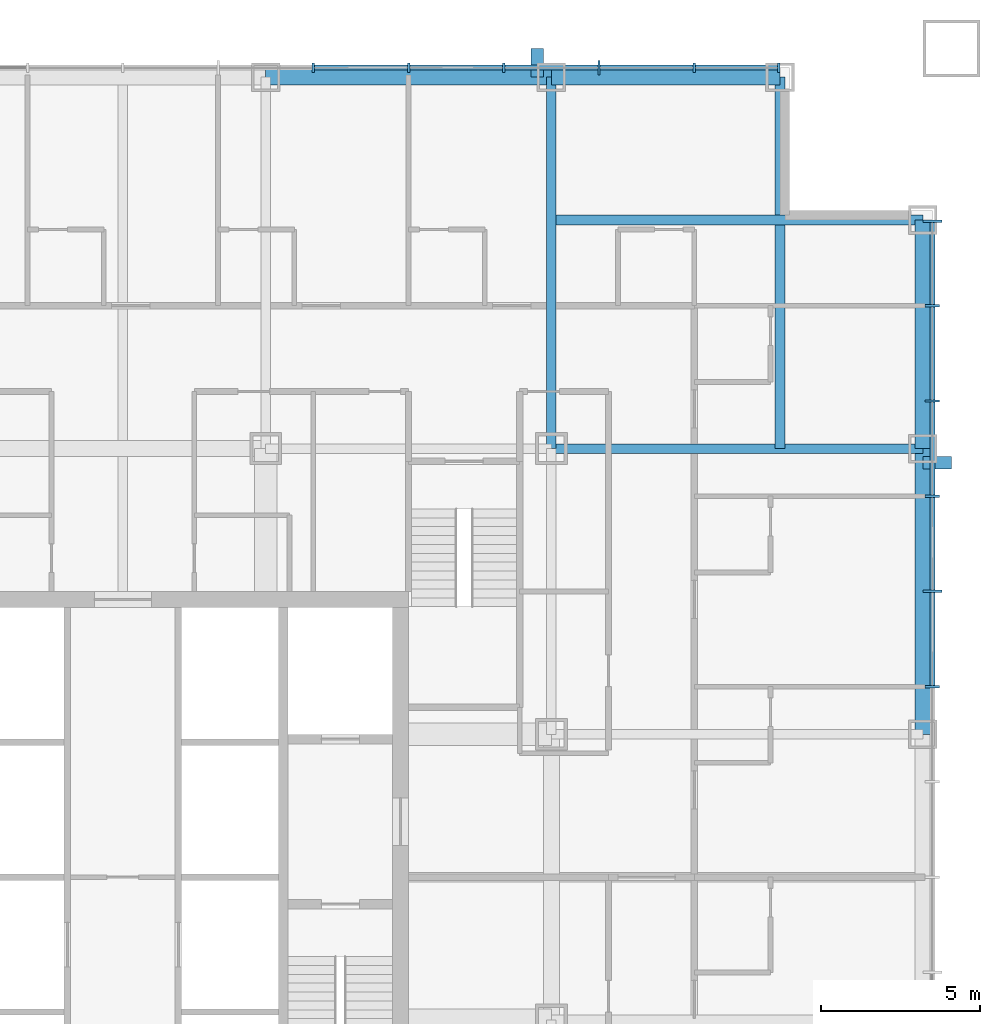
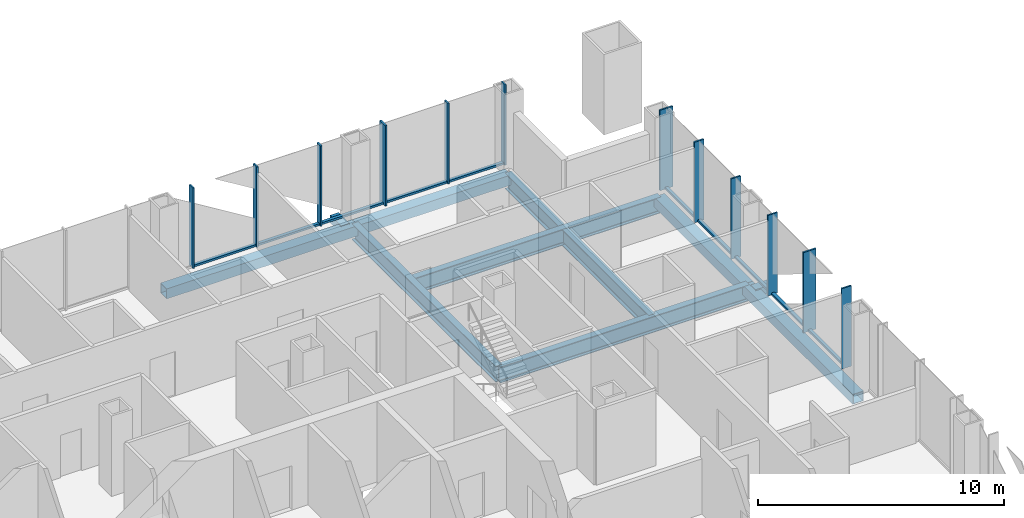
# One storey, part 5 of 14: 24 members, 8 beams, 2 elements without a shape of their own.
"""IFC4 building model written with IfcOpenShell, lengths in metres."""

from ifc_helpers import new_model, si_unit, direction, frame, origin, origin_2d, place, context, subcontext, project, spatial, rectangle, hollow_rectangle, i_section, extrude, material, layer, layer_set, material_profile, profile_set, type_object, element, aggregate, save


model = new_model("IFC4")

# Units and contexts
model_context = context("Model", 3, precision=1e-05, world=origin(), true_north=direction((0.0, 1.0)))
body_context = subcontext(model_context, "Body", "Model", "MODEL_VIEW")
ifc_project = project(units=[si_unit("LENGTHUNIT", "METRE"), si_unit("AREAUNIT", "SQUARE_METRE"), si_unit("VOLUMEUNIT", "CUBIC_METRE"), si_unit("PLANEANGLEUNIT", "RADIAN"), si_unit("MASSUNIT", "GRAM", prefix="KILO")], contexts=[model_context])

# Site, building, storey
site_placement = place(None, origin())
site = spatial("IfcSite", under=ifc_project, at=site_placement, CompositionType="ELEMENT")
building_placement = place(site_placement, origin())
building = spatial("IfcBuilding", under=site, at=building_placement, Name="Malebo Sky Hospital", CompositionType="ELEMENT")
storey_placement = place(building_placement, frame((0.0, 0.0, 71.0)))
storey = spatial("IfcBuildingStorey", under=building, at=storey_placement, Name="L16", CompositionType="ELEMENT", Elevation=71.0)

# Curtain wall, members
ifc_material_1 = material(Name="Anodised aluminium, natural silver", Category="aluminium")
ifc_layer_1 = layer(ifc_material_1, 0.25)
ifc_layer_set_1 = layer_set([ifc_layer_1], Name="WARD CURTAIN WALL NORTH AND SOUTH")
curtain_wall_type_1 = type_object("IfcCurtainWallType", Name="WARD CURTAIN WALL NORTH AND SOUTH", PredefinedType="NOTDEFINED", material=ifc_layer_set_1)
curtain_wall_1_placement = place(storey_placement, origin())
curtain_wall_1 = element("IfcCurtainWall", 1, at=curtain_wall_1_placement, inside=storey, type_object=curtain_wall_type_1, Name="NS curtain wall N", PredefinedType="NOTDEFINED")
ifc_material_profile_1 = material_profile(ifc_material_1, rectangle(XDim=0.14990234375, YDim=0.10009765625, at=origin_2d()), Name="ALUMINIUM TRANSOM 150x100")
ifc_profile_set_1 = profile_set([ifc_material_profile_1], Name="Anodised aluminium, natural silver")
member_type_1 = type_object("IfcMemberType", Name="ALUMINIUM TRANSOM 150x100", PredefinedType="USERDEFINED", material=ifc_profile_set_1)
member_1_placement = place(storey_placement, frame((66.03759765625, 87.5, 0.050048828125), z_axis=(1.0, 0.0, 0.0), x_axis=(0.0, 1.0, 0.0)))
member_1 = element("IfcMember", 2, at=member_1_placement, type_object=member_type_1, Name="Transom 10", ObjectType="TRANSOM", PredefinedType="USERDEFINED", context=body_context, shape_type="SweptSolid", body=[
    extrude(rectangle(XDim=0.14990234375, YDim=0.10009765625, at=origin_2d()), origin(), (0.0, 0.0, 1.0), 2.9248046875),
])
member_2_placement = place(storey_placement, frame((69.03759765625, 87.5, 0.050048828125), z_axis=(1.0, 0.0, 0.0), x_axis=(0.0, 1.0, 0.0)))
member_2 = element("IfcMember", 3, at=member_2_placement, type_object=member_type_1, Name="Transom 11", ObjectType="TRANSOM", PredefinedType="USERDEFINED", context=body_context, shape_type="SweptSolid", body=[
    extrude(rectangle(XDim=0.14990234375, YDim=0.10009765625, at=origin_2d()), origin(), (0.0, 0.0, 1.0), 2.9248046875),
])
member_3_placement = place(storey_placement, frame((72.03759765625, 87.5, 0.050048828125), z_axis=(1.0, 0.0, 0.0), x_axis=(0.0, 1.0, 0.0)))
member_3 = element("IfcMember", 4, at=member_3_placement, type_object=member_type_1, Name="Transom 12", ObjectType="TRANSOM", PredefinedType="USERDEFINED", context=body_context, shape_type="SweptSolid", body=[
    extrude(rectangle(XDim=0.14990234375, YDim=0.10009765625, at=origin_2d()), origin(), (0.0, 0.0, 1.0), 2.9248046875),
])
member_4_placement = place(storey_placement, frame((75.03759765625, 87.5, 0.050048828125), z_axis=(1.0, 0.0, 0.0), x_axis=(0.0, 1.0, 0.0)))
member_4 = element("IfcMember", 5, at=member_4_placement, type_object=member_type_1, Name="Transom 13", ObjectType="TRANSOM", PredefinedType="USERDEFINED", context=body_context, shape_type="SweptSolid", body=[
    extrude(rectangle(XDim=0.14990234375, YDim=0.10009765625, at=origin_2d()), origin(), (0.0, 0.0, 1.0), 2.9248046875),
])
member_5_placement = place(storey_placement, frame((78.03759765625, 87.5, 0.050048828125), z_axis=(1.0, 0.0, 0.0), x_axis=(0.0, 1.0, 0.0)))
member_5 = element("IfcMember", 6, at=member_5_placement, type_object=member_type_1, Name="Transom 14", ObjectType="TRANSOM", PredefinedType="USERDEFINED", context=body_context, shape_type="SweptSolid", body=[
    extrude(rectangle(XDim=0.14990234375, YDim=0.10009765625, at=origin_2d()), origin(), (0.0, 0.0, 1.0), 2.58740234375),
])

ifc_layer_2 = layer(ifc_material_1, 0.25)
ifc_layer_set_2 = layer_set([ifc_layer_2], Name="WARD CURTAIN WALL EAST AND WEST")
curtain_wall_type_2 = type_object("IfcCurtainWallType", Name="WARD CURTAIN WALL EAST AND WEST", PredefinedType="NOTDEFINED", material=ifc_layer_set_2)
curtain_wall_2_placement = place(storey_placement, origin())
curtain_wall_2 = element("IfcCurtainWall", 7, at=curtain_wall_2_placement, inside=storey, type_object=curtain_wall_type_2, Name="EW curtain wall E", PredefinedType="NOTDEFINED")
member_6_placement = place(storey_placement, frame((85.5, 82.625, 0.050048828125), z_axis=(0.0, -1.0, 0.0), x_axis=(1.0, 0.0, 0.0)))
member_6 = element("IfcMember", 8, at=member_6_placement, type_object=member_type_1, Name="Transom 1", ObjectType="TRANSOM", PredefinedType="USERDEFINED", context=body_context, shape_type="SweptSolid", body=[
    extrude(rectangle(XDim=0.14990234375, YDim=0.10009765625, at=origin_2d()), origin(), (0.0, 0.0, 1.0), 2.58740234375),
])
member_7_placement = place(storey_placement, frame((85.5, 79.96240234375, 0.050048828125), z_axis=(0.0, -1.0, 0.0), x_axis=(1.0, 0.0, 0.0)))
member_7 = element("IfcMember", 9, at=member_7_placement, type_object=member_type_1, Name="Transom 2", ObjectType="TRANSOM", PredefinedType="USERDEFINED", context=body_context, shape_type="SweptSolid", body=[
    extrude(rectangle(XDim=0.14990234375, YDim=0.10009765625, at=origin_2d()), origin(), (0.0, 0.0, 1.0), 2.9248046875),
])
member_8_placement = place(storey_placement, frame((85.5, 76.96240234375, 0.050048828125), z_axis=(0.0, -1.0, 0.0), x_axis=(1.0, 0.0, 0.0)))
member_8 = element("IfcMember", 10, at=member_8_placement, type_object=member_type_1, Name="Transom 3", ObjectType="TRANSOM", PredefinedType="USERDEFINED", context=body_context, shape_type="SweptSolid", body=[
    extrude(rectangle(XDim=0.14990234375, YDim=0.10009765625, at=origin_2d()), origin(), (0.0, 0.0, 1.0), 2.9248046875),
])
member_9_placement = place(storey_placement, frame((85.5, 73.96240234375, 0.050048828125), z_axis=(0.0, -1.0, 0.0), x_axis=(1.0, 0.0, 0.0)))
member_9 = element("IfcMember", 11, at=member_9_placement, type_object=member_type_1, Name="Transom 4", ObjectType="TRANSOM", PredefinedType="USERDEFINED", context=body_context, shape_type="SweptSolid", body=[
    extrude(rectangle(XDim=0.14990234375, YDim=0.10009765625, at=origin_2d()), origin(), (0.0, 0.0, 1.0), 2.9248046875),
])
member_10_placement = place(storey_placement, frame((85.5, 70.96240234375, 0.050048828125), z_axis=(0.0, -1.0, 0.0), x_axis=(1.0, 0.0, 0.0)))
member_10 = element("IfcMember", 12, at=member_10_placement, type_object=member_type_1, Name="Transom 5", ObjectType="TRANSOM", PredefinedType="USERDEFINED", context=body_context, shape_type="SweptSolid", body=[
    extrude(rectangle(XDim=0.14990234375, YDim=0.10009765625, at=origin_2d()), origin(), (0.0, 0.0, 1.0), 2.9248046875),
])

# Members
ifc_material_2 = material(Name="Steel S355", Category="steel")
ifc_material_profile_2 = material_profile(ifc_material_2, hollow_rectangle(XDim=0.39990234375, YDim=0.39990234375, WallThickness=0.02001953125, at=origin_2d()), Name="SHS 400x20")
ifc_profile_set_2 = profile_set([ifc_material_profile_2], Name="Steel S355")
member_type_2 = type_object("IfcMemberType", Name="BRACE STRUT SHS 400x20", PredefinedType="STRUT", material=ifc_profile_set_2)
for number, where, z_axis, x_axis, name in (
    (13, (73.050048828125, 88.10009765625, -0.39990234375), (0.0, -1.0, 0.0), (1.0, 0.0, 0.0), "Brace strut AN1 L16"),
    (14, (86.10009765625, 75.050048828125, -0.39990234375), (-1.0, 0.0, 0.0), (0.0, -1.0, 0.0), "Brace strut AE2 L16"),
):
    element("IfcMember", number, at=place(storey_placement, frame(where, z_axis=z_axis, x_axis=x_axis)), inside=storey, type_object=member_type_2, Name=name, PredefinedType="STRUT", context=body_context, shape_type="SweptSolid", body=[
        extrude(hollow_rectangle(XDim=0.39990234375, YDim=0.39990234375, WallThickness=0.02001953125, at=origin_2d()), origin(), (0.0, 0.0, 1.0), 0.900146484375),
    ])

# Member
ifc_material_profile_3 = material_profile(ifc_material_1, rectangle(XDim=0.074951171875, YDim=0.300048828125, at=origin_2d()), Name="CW1 ALUMINIUM FIN MULLION 75x300")
ifc_profile_set_3 = profile_set([ifc_material_profile_3], Name="Anodised aluminium, natural silver")
member_type_3 = type_object("IfcMemberType", Name="CW1 ALUMINIUM FIN MULLION 75x300", PredefinedType="MULLION", material=ifc_profile_set_3)
member_11_placement = place(storey_placement, frame((66.0, 87.5, 0.0), z_axis=(0.0, 0.0, 1.0), x_axis=(1.0, 0.0, 0.0)))
member_11 = element("IfcMember", 15, at=member_11_placement, type_object=member_type_3, Name="Fin mullion 10", PredefinedType="MULLION", context=body_context, shape_type="SweptSolid", body=[
    extrude(rectangle(XDim=0.074951171875, YDim=0.300048828125, at=origin_2d()), origin(), (0.0, 0.0, 1.0), 4.0),
])

member_12_placement = place(storey_placement, frame((69.0, 87.5, 0.0), z_axis=(0.0, 0.0, 1.0), x_axis=(1.0, 0.0, 0.0)))
member_12 = element("IfcMember", 16, at=member_12_placement, type_object=member_type_3, Name="Fin mullion 11", PredefinedType="MULLION", context=body_context, shape_type="SweptSolid", body=[
    extrude(rectangle(XDim=0.074951171875, YDim=0.300048828125, at=origin_2d()), origin(), (0.0, 0.0, 1.0), 4.0),
])

member_13_placement = place(storey_placement, frame((72.0, 87.5, 0.0), z_axis=(0.0, 0.0, 1.0), x_axis=(1.0, 0.0, 0.0)))
member_13 = element("IfcMember", 17, at=member_13_placement, type_object=member_type_3, Name="Fin mullion 12", PredefinedType="MULLION", context=body_context, shape_type="SweptSolid", body=[
    extrude(rectangle(XDim=0.074951171875, YDim=0.300048828125, at=origin_2d()), origin(), (0.0, 0.0, 1.0), 4.0),
])

member_14_placement = place(storey_placement, frame((78.0, 87.5, 0.0), z_axis=(0.0, 0.0, 1.0), x_axis=(1.0, 0.0, 0.0)))
member_14 = element("IfcMember", 18, at=member_14_placement, type_object=member_type_3, Name="Fin mullion 14", PredefinedType="MULLION", context=body_context, shape_type="SweptSolid", body=[
    extrude(rectangle(XDim=0.074951171875, YDim=0.300048828125, at=origin_2d()), origin(), (0.0, 0.0, 1.0), 4.0),
])

member_15_placement = place(storey_placement, frame((80.66259765625, 87.5, 0.0), z_axis=(0.0, 0.0, 1.0), x_axis=(1.0, 0.0, 0.0)))
member_15 = element("IfcMember", 19, at=member_15_placement, type_object=member_type_3, Name="Fin mullion 15", PredefinedType="MULLION", context=body_context, shape_type="SweptSolid", body=[
    extrude(rectangle(XDim=0.074951171875, YDim=0.300048828125, at=origin_2d()), origin(), (0.0, 0.0, 1.0), 4.0),
])

ifc_material_profile_4 = material_profile(ifc_material_1, rectangle(XDim=0.074951171875, YDim=0.449951171875, at=origin_2d()), Name="CW1 ALUMINIUM FIN MULLION 75x450")
ifc_profile_set_4 = profile_set([ifc_material_profile_4], Name="Anodised aluminium, natural silver")
member_type_4 = type_object("IfcMemberType", Name="CW1 ALUMINIUM FIN MULLION 75x450", PredefinedType="MULLION", material=ifc_profile_set_4)
member_16_placement = place(storey_placement, frame((75.0, 87.5, 0.0), z_axis=(0.0, 0.0, 1.0), x_axis=(1.0, 0.0, 0.0)))
member_16 = element("IfcMember", 20, at=member_16_placement, type_object=member_type_4, Name="Fin mullion 13", PredefinedType="MULLION", context=body_context, shape_type="SweptSolid", body=[
    extrude(rectangle(XDim=0.074951171875, YDim=0.449951171875, at=origin_2d()), origin(), (0.0, 0.0, 1.0), 4.0),
])

aggregate(curtain_wall_1, [member_11, member_12, member_13, member_16, member_14, member_15, member_1, member_2, member_3, member_4, member_5])

ifc_material_profile_5 = material_profile(ifc_material_1, rectangle(XDim=0.074951171875, YDim=0.449951171875, at=origin_2d()), Name="CW2 ALUMINIUM FIN MULLION 75x450")
ifc_profile_set_5 = profile_set([ifc_material_profile_5], Name="Anodised aluminium, natural silver")
member_type_5 = type_object("IfcMemberType", Name="CW2 ALUMINIUM FIN MULLION 75x450", PredefinedType="MULLION", material=ifc_profile_set_5)
member_17_placement = place(storey_placement, frame((85.5, 80.0, 0.0), z_axis=(0.0, 0.0, 1.0), x_axis=(0.0, -1.0, 0.0)))
member_17 = element("IfcMember", 21, at=member_17_placement, type_object=member_type_5, Name="Fin mullion 2", PredefinedType="MULLION", context=body_context, shape_type="SweptSolid", body=[
    extrude(rectangle(XDim=0.074951171875, YDim=0.449951171875, at=origin_2d()), origin(), (0.0, 0.0, 1.0), 4.0),
])

member_18_placement = place(storey_placement, frame((85.5, 77.0, 0.0), z_axis=(0.0, 0.0, 1.0), x_axis=(0.0, -1.0, 0.0)))
member_18 = element("IfcMember", 22, at=member_18_placement, type_object=member_type_5, Name="Fin mullion 3", PredefinedType="MULLION", context=body_context, shape_type="SweptSolid", body=[
    extrude(rectangle(XDim=0.074951171875, YDim=0.449951171875, at=origin_2d()), origin(), (0.0, 0.0, 1.0), 4.0),
])

member_19_placement = place(storey_placement, frame((85.5, 74.0, 0.0), z_axis=(0.0, 0.0, 1.0), x_axis=(0.0, -1.0, 0.0)))
member_19 = element("IfcMember", 23, at=member_19_placement, type_object=member_type_5, Name="Fin mullion 4", PredefinedType="MULLION", context=body_context, shape_type="SweptSolid", body=[
    extrude(rectangle(XDim=0.074951171875, YDim=0.449951171875, at=origin_2d()), origin(), (0.0, 0.0, 1.0), 4.0),
])

member_20_placement = place(storey_placement, frame((85.5, 68.0, 0.0), z_axis=(0.0, 0.0, 1.0), x_axis=(0.0, -1.0, 0.0)))
member_20 = element("IfcMember", 24, at=member_20_placement, type_object=member_type_5, Name="Fin mullion 6", PredefinedType="MULLION", context=body_context, shape_type="SweptSolid", body=[
    extrude(rectangle(XDim=0.074951171875, YDim=0.449951171875, at=origin_2d()), origin(), (0.0, 0.0, 1.0), 4.0),
])

ifc_material_profile_6 = material_profile(ifc_material_1, rectangle(XDim=0.074951171875, YDim=0.60009765625, at=origin_2d()), Name="CW2 ALUMINIUM FIN MULLION 75x600")
ifc_profile_set_6 = profile_set([ifc_material_profile_6], Name="Anodised aluminium, natural silver")
member_type_6 = type_object("IfcMemberType", Name="CW2 ALUMINIUM FIN MULLION 75x600", PredefinedType="MULLION", material=ifc_profile_set_6)
member_21_placement = place(storey_placement, frame((85.5, 82.66259765625, 0.0), z_axis=(0.0, 0.0, 1.0), x_axis=(0.0, -1.0, 0.0)))
member_21 = element("IfcMember", 25, at=member_21_placement, type_object=member_type_6, Name="Fin mullion 1", PredefinedType="MULLION", context=body_context, shape_type="SweptSolid", body=[
    extrude(rectangle(XDim=0.074951171875, YDim=0.60009765625, at=origin_2d()), origin(), (0.0, 0.0, 1.0), 4.0),
])

member_22_placement = place(storey_placement, frame((85.5, 71.0, 0.0), z_axis=(0.0, 0.0, 1.0), x_axis=(0.0, -1.0, 0.0)))
member_22 = element("IfcMember", 26, at=member_22_placement, type_object=member_type_6, Name="Fin mullion 5", PredefinedType="MULLION", context=body_context, shape_type="SweptSolid", body=[
    extrude(rectangle(XDim=0.074951171875, YDim=0.60009765625, at=origin_2d()), origin(), (0.0, 0.0, 1.0), 4.0),
])

aggregate(curtain_wall_2, [member_21, member_17, member_18, member_19, member_22, member_20, member_6, member_7, member_8, member_9, member_10])

# Beams
ifc_material_3 = material(Name="Steel S460", Category="steel")
ifc_material_profile_7 = material_profile(ifc_material_3, hollow_rectangle(XDim=0.5, YDim=0.5, WallThickness=0.030029296875, at=origin_2d()), Name="BOX 500x500x30")
ifc_profile_set_7 = profile_set([ifc_material_profile_7], Name="Steel S460")
beam_type_1 = type_object("IfcBeamType", Name="EDGE BEAM BOX 500x500x30", PredefinedType="BEAM", material=ifc_profile_set_7)
beam_1_placement = place(storey_placement, frame((85.199951171875, 66.5, -0.5), z_axis=(0.0, 1.0, 0.0), x_axis=(-1.0, 0.0, 0.0)))
element("IfcBeam", 27, at=beam_1_placement, inside=storey, type_object=beam_type_1, Name="Beam 032 L16", PredefinedType="BEAM", context=body_context, shape_type="SweptSolid", body=[
    extrude(hollow_rectangle(XDim=0.5, YDim=0.5, WallThickness=0.030029296875, at=origin_2d()), origin(), (0.0, 0.0, 1.0), 9.0),
])
beam_2_placement = place(storey_placement, frame((85.199951171875, 75.5, -0.5), z_axis=(0.0, 1.0, 0.0), x_axis=(-1.0, 0.0, 0.0)))
element("IfcBeam", 28, at=beam_2_placement, inside=storey, type_object=beam_type_1, Name="Beam 033 L16", PredefinedType="BEAM", context=body_context, shape_type="SweptSolid", body=[
    extrude(hollow_rectangle(XDim=0.5, YDim=0.5, WallThickness=0.030029296875, at=origin_2d()), origin(), (0.0, 0.0, 1.0), 7.199951171875),
])
beam_3_placement = place(storey_placement, frame((64.5, 87.199951171875, -0.5), z_axis=(1.0, 0.0, 0.0), x_axis=(0.0, 1.0, 0.0)))
element("IfcBeam", 29, at=beam_3_placement, inside=storey, type_object=beam_type_1, Name="Beam 066 L16", PredefinedType="BEAM", context=body_context, shape_type="SweptSolid", body=[
    extrude(hollow_rectangle(XDim=0.5, YDim=0.5, WallThickness=0.030029296875, at=origin_2d()), origin(), (0.0, 0.0, 1.0), 9.0),
])
beam_4_placement = place(storey_placement, frame((73.5, 87.199951171875, -0.5), z_axis=(1.0, 0.0, 0.0), x_axis=(0.0, 1.0, 0.0)))
element("IfcBeam", 30, at=beam_4_placement, inside=storey, type_object=beam_type_1, Name="Beam 067 L16", PredefinedType="BEAM", context=body_context, shape_type="SweptSolid", body=[
    extrude(hollow_rectangle(XDim=0.5, YDim=0.5, WallThickness=0.030029296875, at=origin_2d()), origin(), (0.0, 0.0, 1.0), 7.199951171875),
])
ifc_material_profile_8 = material_profile(ifc_material_2, i_section(OverallWidth=0.300048828125, OverallDepth=0.800048828125, WebThickness=0.017578125, FlangeThickness=0.032958984375, FilletRadius=0.030029296875, at=origin_2d()), Name="HEB 800")
ifc_profile_set_8 = profile_set([ifc_material_profile_8], Name="Steel S355")
beam_type_2 = type_object("IfcBeamType", Name="FLOOR BEAM HEB 800", PredefinedType="BEAM", material=ifc_profile_set_8)
for number, where, z_axis, x_axis, name in (
    (31, (80.699951171875, 75.5, -0.64990234375), (0.0, 1.0, 0.0), (-1.0, 0.0, 0.0), "Beam 028 L16"),
    (32, (73.5, 82.699951171875, -0.64990234375), (1.0, 0.0, 0.0), (0.0, 1.0, 0.0), "Beam 062 L16"),
):
    element("IfcBeam", number, at=place(storey_placement, frame(where, z_axis=z_axis, x_axis=x_axis)), inside=storey, type_object=beam_type_2, Name=name, PredefinedType="BEAM", context=body_context, shape_type="SweptSolid", body=[
        extrude(i_section(OverallWidth=0.300048828125, OverallDepth=0.800048828125, WebThickness=0.017578125, FlangeThickness=0.032958984375, FilletRadius=0.030029296875, at=origin_2d()), origin(), (0.0, 0.0, 1.0), 11.699951171875),
    ])
ifc_material_profile_9 = material_profile(ifc_material_2, i_section(OverallWidth=0.300048828125, OverallDepth=0.800048828125, WebThickness=0.017578125, FlangeThickness=0.032958984375, FilletRadius=0.030029296875, at=origin_2d()), Name="HEB 800")
ifc_profile_set_9 = profile_set([ifc_material_profile_9], Name="Steel S355")
beam_type_3 = type_object("IfcBeamType", Name="FLOOR GIRDER HEB 800", PredefinedType="BEAM", material=ifc_profile_set_9)
for number, where, z_axis, x_axis, name in (
    (33, (73.5, 75.5, -0.64990234375), (0.0, 1.0, 0.0), (-1.0, 0.0, 0.0), "Beam 026 L16"),
    (34, (73.5, 75.5, -0.64990234375), (1.0, 0.0, 0.0), (0.0, 1.0, 0.0), "Beam 060 L16"),
):
    element("IfcBeam", number, at=place(storey_placement, frame(where, z_axis=z_axis, x_axis=x_axis)), inside=storey, type_object=beam_type_3, Name=name, PredefinedType="BEAM", context=body_context, shape_type="SweptSolid", body=[
        extrude(i_section(OverallWidth=0.300048828125, OverallDepth=0.800048828125, WebThickness=0.017578125, FlangeThickness=0.032958984375, FilletRadius=0.030029296875, at=origin_2d()), origin(), (0.0, 0.0, 1.0), 11.699951171875),
    ])

save(model, "model.ifc")
